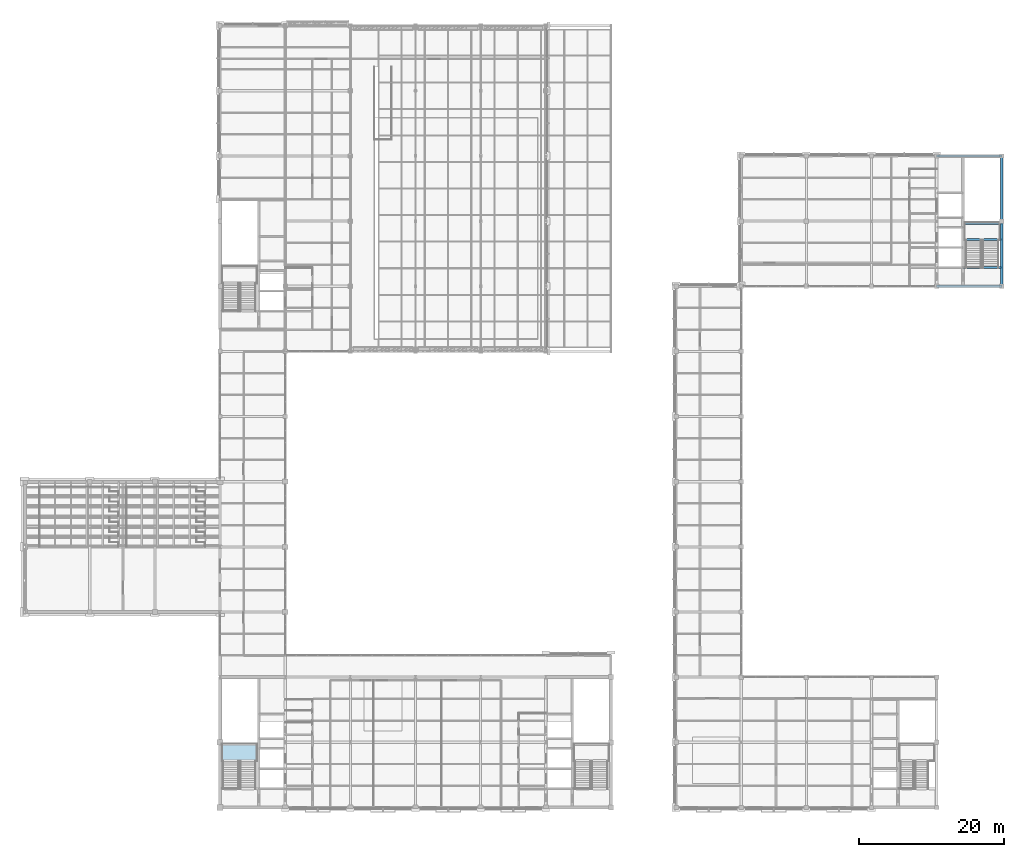
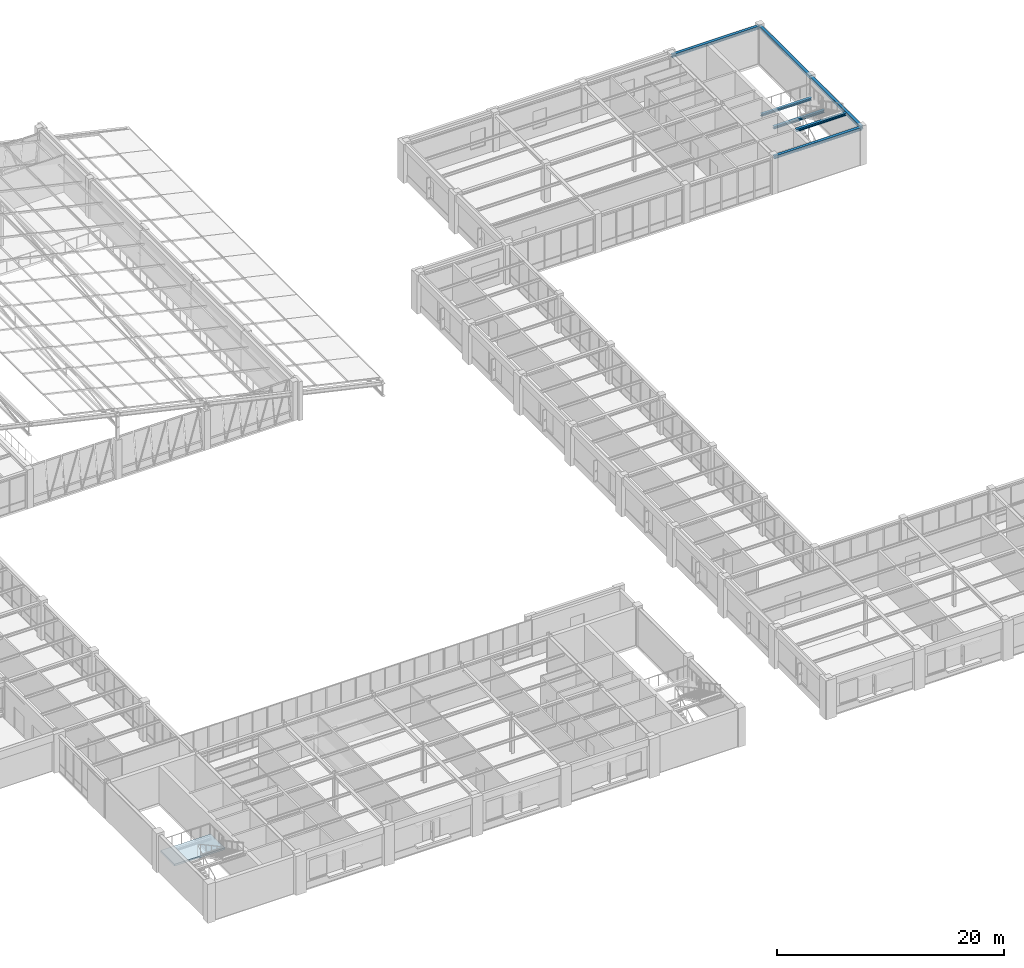
# One storey, part 100 of 130: 7 beams, 1 slab, 1 element without a shape of its own.
"""IFC4 building model written with IfcOpenShell, lengths in metres."""

from ifc_helpers import new_model, si_unit, direction, frame, origin, origin_2d, place, context, subcontext, project, spatial, polyline, i_section, outline, extrude, material, layer, layer_set, material_profile, profile_set, type_object, element, aggregate, save


model = new_model("IFC4")

# Units and contexts
model_context = context("Model", 3, precision=1e-05, world=origin(), true_north=direction((0.0, 1.0)))
body_context = subcontext(model_context, "Body", "Model", "MODEL_VIEW")
ifc_project = project(units=[si_unit("LENGTHUNIT", "METRE"), si_unit("AREAUNIT", "SQUARE_METRE"), si_unit("VOLUMEUNIT", "CUBIC_METRE"), si_unit("PLANEANGLEUNIT", "RADIAN"), si_unit("MASSUNIT", "GRAM", prefix="KILO")], contexts=[model_context])

# Site, building, storey
site_placement = place(None, origin())
site = spatial("IfcSite", under=ifc_project, at=site_placement, CompositionType="ELEMENT")
building_placement = place(site_placement, origin())
building = spatial("IfcBuilding", under=site, at=building_placement, Name="Lykobir Media Centre", CompositionType="ELEMENT")
storey_placement = place(building_placement, frame((0.0, 0.0, 19.199951171875)))
storey = spatial("IfcBuildingStorey", under=building, at=storey_placement, Name="L04", CompositionType="ELEMENT", Elevation=19.199951171875)

# Beams
ifc_material_1 = material(Name="Steel S355", Category="steel")
ifc_material_profile_1 = material_profile(ifc_material_1, i_section(OverallWidth=0.300048828125, OverallDepth=0.2900390625, WebThickness=0.008544921875, FlangeThickness=0.013916015625, at=origin_2d()), Name="HEA 300")
ifc_profile_set_1 = profile_set([ifc_material_profile_1], Name="Steel S355")
beam_type_1 = type_object("IfcBeamType", Name="BM-HEA300", PredefinedType="BEAM", material=ifc_profile_set_1)
for number, where, z_axis, x_axis, name in (
    (1, (135.0, 72.0, 3.81494140625), (0.0, 1.0, 0.0), (-1.0, 0.0, 0.0), "Beam BM-L04-1350-0720-1350-0810-2302"),
    (2, (135.0, 81.0, 3.81494140625), (0.0, 1.0, 0.0), (-1.0, 0.0, 0.0), "Beam BM-L04-1350-0810-1350-0900-2302"),
):
    element("IfcBeam", number, at=place(storey_placement, frame(where, z_axis=z_axis, x_axis=x_axis)), inside=storey, type_object=beam_type_1, Name=name, PredefinedType="BEAM", context=body_context, shape_type="SweptSolid", body=[
        extrude(i_section(OverallWidth=0.300048828125, OverallDepth=0.2900390625, WebThickness=0.008544921875, FlangeThickness=0.013916015625, at=origin_2d()), origin(), (0.0, 0.0, 1.0), 9.0),
    ])
ifc_material_profile_2 = material_profile(ifc_material_1, i_section(OverallWidth=0.260009765625, OverallDepth=0.25, WebThickness=0.007568359375, FlangeThickness=0.012451171875, at=origin_2d()), Name="HEA 260")
ifc_profile_set_2 = profile_set([ifc_material_profile_2], Name="Steel S355")
beam_type_2 = type_object("IfcBeamType", Name="BM-ST260", PredefinedType="BEAM", material=ifc_profile_set_2)
beam_placement = place(storey_placement, frame((129.72998046875, 80.679931640625, 1.780029296875), z_axis=(1.0, 0.0, 0.0), x_axis=(0.0, 1.0, 0.0)))
element("IfcBeam", 3, at=beam_placement, inside=storey, type_object=beam_type_2, Name="ST-4 L04 half-landing support beam", PredefinedType="BEAM", context=body_context, shape_type="SweptSolid", body=[
    extrude(i_section(OverallWidth=0.260009765625, OverallDepth=0.25, WebThickness=0.007568359375, FlangeThickness=0.012451171875, at=origin_2d()), origin(), (0.0, 0.0, 1.0), 5.14013671875),
])
ifc_material_profile_3 = material_profile(ifc_material_1, i_section(OverallWidth=0.280029296875, OverallDepth=0.27001953125, WebThickness=0.008056640625, FlangeThickness=0.012939453125, at=origin_2d()), Name="HEA 280")
ifc_profile_set_3 = profile_set([ifc_material_profile_3], Name="Steel S355")
beam_type_3 = type_object("IfcBeamType", Name="BM-ST280", PredefinedType="BEAM", material=ifc_profile_set_3)
for number, where, z_axis, x_axis, name in (
    (4, (129.72998046875, 74.580078125, 3.824951171875), (1.0, 0.0, 0.0), (0.0, 1.0, 0.0), "ST-4 L04 arrival trimmer beam"),
    (5, (129.72998046875, 78.47998046875, 1.77001953125), (1.0, 0.0, 0.0), (0.0, 1.0, 0.0), "ST-4 L04 mid-landing trimmer beam"),
):
    element("IfcBeam", number, at=place(storey_placement, frame(where, z_axis=z_axis, x_axis=x_axis)), inside=storey, type_object=beam_type_3, Name=name, PredefinedType="BEAM", context=body_context, shape_type="SweptSolid", body=[
        extrude(i_section(OverallWidth=0.280029296875, OverallDepth=0.27001953125, WebThickness=0.008056640625, FlangeThickness=0.012939453125, at=origin_2d()), origin(), (0.0, 0.0, 1.0), 5.14013671875),
    ])
ifc_material_profile_4 = material_profile(ifc_material_1, i_section(OverallWidth=0.300048828125, OverallDepth=0.31005859375, WebThickness=0.009033203125, FlangeThickness=0.015380859375, at=origin_2d()), Name="HEA 320")
ifc_profile_set_4 = profile_set([ifc_material_profile_4], Name="Steel S355")
beam_type_4 = type_object("IfcBeamType", Name="SP-HEA320", PredefinedType="SPANDREL", material=ifc_profile_set_4)
for number, where, z_axis, x_axis, name in (
    (6, (126.0, 72.0, 3.804931640625), (1.0, 0.0, 0.0), (0.0, 1.0, 0.0), "Beam BM-L04-1260-0720-1350-0720-2300"),
    (7, (126.0, 90.0, 3.804931640625), (1.0, 0.0, 0.0), (0.0, 1.0, 0.0), "Beam BM-L04-1260-0900-1350-0900-2300"),
):
    element("IfcBeam", number, at=place(storey_placement, frame(where, z_axis=z_axis, x_axis=x_axis)), inside=storey, type_object=beam_type_4, Name=name, PredefinedType="SPANDREL", context=body_context, shape_type="SweptSolid", body=[
        extrude(i_section(OverallWidth=0.300048828125, OverallDepth=0.31005859375, WebThickness=0.009033203125, FlangeThickness=0.015380859375, at=origin_2d()), origin(), (0.0, 0.0, 1.0), 9.0),
    ])

# Stair, slab
ifc_material_2 = material(Name="Concrete C30/37", Category="concrete")
stair_type = type_object("IfcStairType", Name="ST-HT-420", PredefinedType="HALF_TURN_STAIR", material=ifc_material_2)
stair_placement = place(storey_placement, origin())
stair = element("IfcStair", 8, at=stair_placement, inside=storey, type_object=stair_type, Name="Escape stair ST-1 L04", PredefinedType="HALF_TURN_STAIR")
ifc_layer = layer(ifc_material_2, 0.195068359375, Name="Concrete C30/37")
ifc_layer_set = layer_set([ifc_layer], Name="Concrete C30/37")
slab_type = type_object("IfcSlabType", Name="SL-195", PredefinedType="LANDING", material=ifc_layer_set)
slab_placement = place(storey_placement, frame((0.0, 0.0, 1.905029296875)))
slab = element("IfcSlab", 9, at=slab_placement, type_object=slab_type, Name="ST-1-L04 landing 1", PredefinedType="LANDING", context=body_context, shape_type="SweptSolid", body=[
    extrude(outline(polyline([(27.1298828125, 6.35009765625), (32.27001953125, 6.35009765625), (32.27001953125, 8.830078125), (27.1298828125, 8.830078125), (27.1298828125, 6.35009765625)])), origin(), (0.0, 0.0, 1.0), 0.195068359375),
])
aggregate(stair, [slab])

save(model, "model.ifc")
